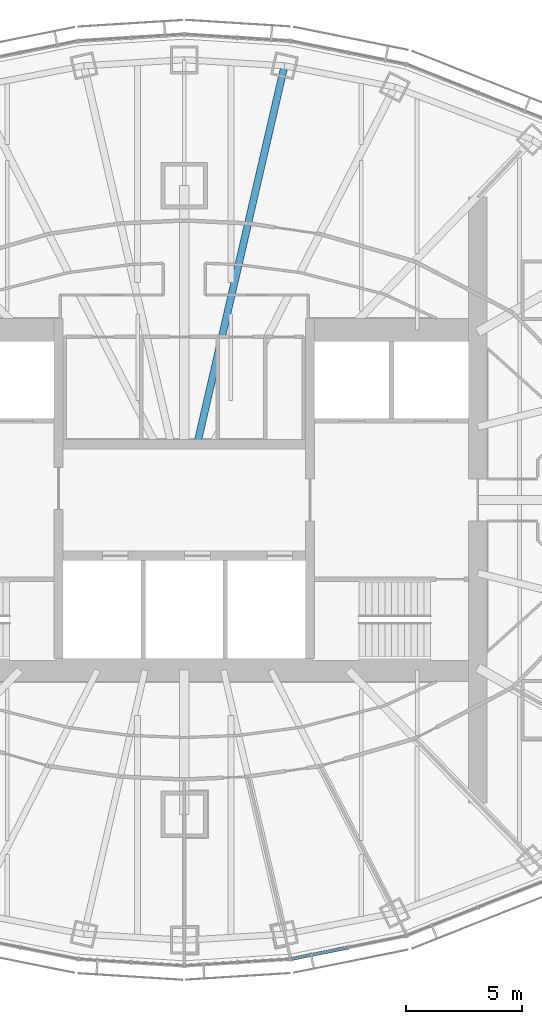
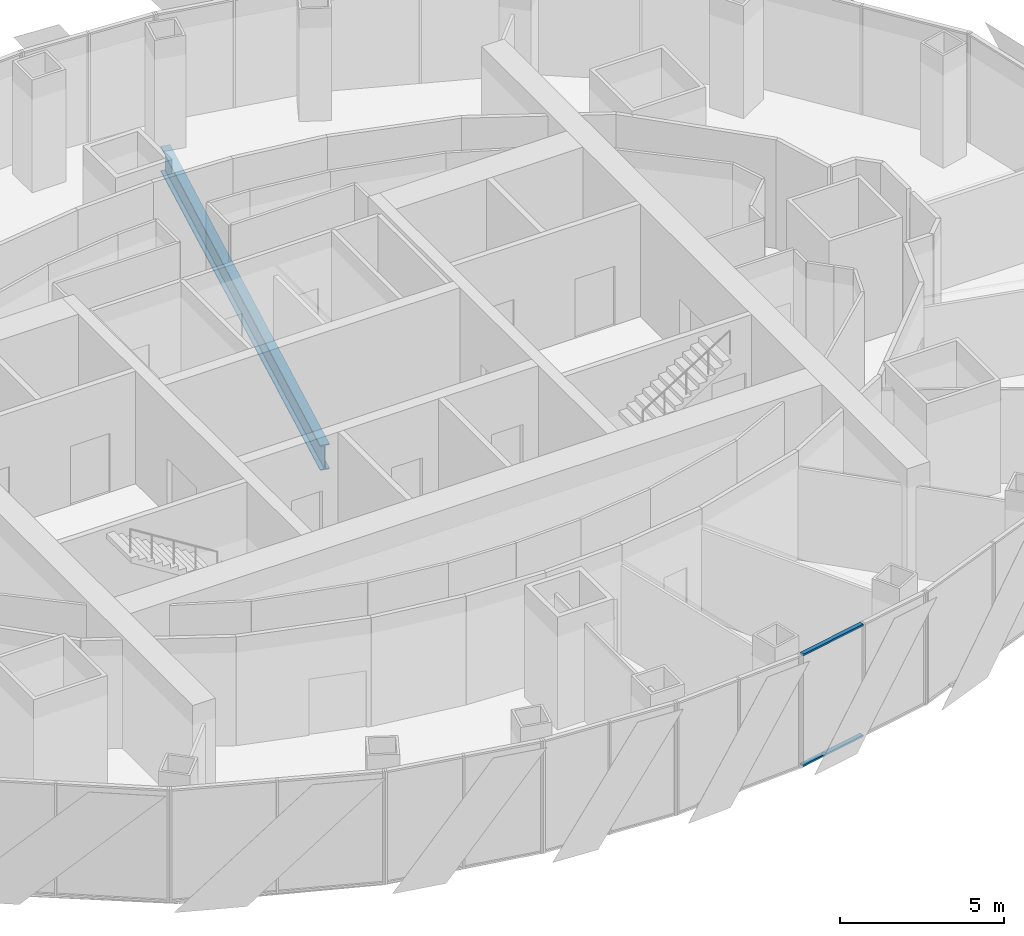
# One storey, part 5 of 17: 2 members, 1 beam, 1 element without a shape of its own.
"""IFC4 building model written with IfcOpenShell, lengths in metres."""

import ifcopenshell
import ifcopenshell.guid

model = None  # the IFC model being written
_history = None  # IfcOwnerHistory: only IFC2X3 demands one
_inside = {}  # id of a spatial element -> (the spatial element, [elements in it])
_under = {}  # id of a project, library or spatial element -> (it, [spatial elements below it])
_declared = {}  # id of a project -> (the project, [libraries it declares])
_typed = {}  # id of a type object -> (the type object, [elements of that type])
_made_of = {}  # id of a material, layer set ... -> (it, [elements and type objects made of it])


def new_model(schema):
    """Start an empty IFC model of exactly this schema.

    Asked for "IFC4X3", IfcOpenShell would pick the latest addendum, in which some entities
    have other attributes; the version numbers below select the first issue.
    IFC2X3 requires an IfcOwnerHistory on every rooted entity: one is made here for all.
    """
    global model, _history
    if schema == "IFC4X3":
        model = ifcopenshell.file(schema_version=(4, 3, 0, 0))
    else:
        model = ifcopenshell.file(schema=schema)
    _inside.clear()
    _under.clear()
    _declared.clear()
    _typed.clear()
    _made_of.clear()
    _history = None
    if model.schema == "IFC2X3":
        org = make("IfcOrganization", Name="unknown")
        user = make(
            "IfcPersonAndOrganization",
            ThePerson=make("IfcPerson", FamilyName="unknown"),
            TheOrganization=org,
        )
        app = make(
            "IfcApplication",
            ApplicationDeveloper=org,
            Version="unknown",
            ApplicationFullName="unknown",
            ApplicationIdentifier="unknown",
        )
        _history = make(
            "IfcOwnerHistory",
            OwningUser=user,
            OwningApplication=app,
            ChangeAction="ADDED",
            CreationDate=0,
        )
    return model


def make(cls, **values):
    """One entity of the class cls with the attributes given. An attribute that is None is left unset."""
    return model.create_entity(
        cls, **{name: value for name, value in values.items() if value is not None}
    )


def rooted(cls, **values):
    """An entity with a GlobalId (a new one), such as an element, a storey or a relation."""
    return make(cls, GlobalId=ifcopenshell.guid.new(), OwnerHistory=_history, **values)


def si_unit(unit_type, name, prefix=None):
    """IfcSIUnit, for example si_unit("LENGTHUNIT", "METRE", prefix="MILLI")."""
    return make("IfcSIUnit", UnitType=unit_type, Prefix=prefix, Name=name)


def assignment(units):
    """IfcUnitAssignment: the units of a project."""
    return None if units is None else make("IfcUnitAssignment", Units=units)


def point(xyz):
    """IfcCartesianPoint."""
    return None if xyz is None else make("IfcCartesianPoint", Coordinates=xyz)


def direction(xyz):
    """IfcDirection."""
    return None if xyz is None else make("IfcDirection", DirectionRatios=xyz)


def frame(location, z_axis=None, x_axis=None):
    """IfcAxis2Placement3D, a coordinate frame: its origin and axes. An axis left out is left unset."""
    return make(
        "IfcAxis2Placement3D",
        Location=point(location),
        Axis=direction(z_axis),
        RefDirection=direction(x_axis),
    )


def frame_2d(location, x_axis=None):
    """IfcAxis2Placement2D, a coordinate frame in the plane: its origin and x axis."""
    return make(
        "IfcAxis2Placement2D", Location=point(location), RefDirection=direction(x_axis)
    )


def origin():
    """The frame at (0, 0, 0) with its axes left unset."""
    return frame((0.0, 0.0, 0.0))


def origin_2d():
    """The frame at (0, 0) in the plane with its x axis left unset."""
    return frame_2d((0.0, 0.0))


def place(relative_to, where):
    """IfcLocalPlacement: puts the frame where relative to a parent placement (None: the world)."""
    return make(
        "IfcLocalPlacement", PlacementRelTo=relative_to, RelativePlacement=where
    )


def context(
    kind, dimensions, precision=None, world=None, true_north=None, identifier=None
):
    """IfcGeometricRepresentationContext, for example the 3D "Model" context."""
    return make(
        "IfcGeometricRepresentationContext",
        ContextIdentifier=identifier,
        ContextType=kind,
        CoordinateSpaceDimension=dimensions,
        Precision=precision,
        WorldCoordinateSystem=world,
        TrueNorth=true_north,
    )


def subcontext(parent, identifier, kind, view, scale=None):
    """IfcGeometricRepresentationSubContext, for example "Body" below "Model"."""
    return make(
        "IfcGeometricRepresentationSubContext",
        ContextIdentifier=identifier,
        ContextType=kind,
        ParentContext=parent,
        TargetScale=scale,
        TargetView=view,
    )


def project(units=None, contexts=None):
    """IfcProject with its units and contexts."""
    return rooted(
        "IfcProject",
        Name="project",
        RepresentationContexts=contexts,
        UnitsInContext=assignment(units),
    )


def spatial(cls, under=None, at=None, **own):
    """A site, building, storey or space (cls), placed at a placement, below another one or the project."""
    s = rooted(cls, ObjectPlacement=at, **own)
    if under is not None:
        _under.setdefault(under.id(), (under, []))[1].append(s)
    return s


def profile(cls, at=None, kind="AREA", **sizes):
    """A parametric profile (cls). Its sizes go by their IFC names, for example OverallWidth=200.0."""
    return make(cls, ProfileType=kind, Position=at, **sizes)


def rectangle(**sizes):
    """IfcRectangleProfileDef."""
    return profile("IfcRectangleProfileDef", **sizes)


def i_section(**sizes):
    """IfcIShapeProfileDef."""
    return profile("IfcIShapeProfileDef", **sizes)


def extrude(swept, where, along, depth):
    """IfcExtrudedAreaSolid: the profile swept, set in the frame where, extruded along a direction by depth."""
    return make(
        "IfcExtrudedAreaSolid",
        SweptArea=swept,
        Position=where,
        ExtrudedDirection=direction(along),
        Depth=depth,
    )


def shape(context_of_items, identifier, shape_type, items):
    """IfcShapeRepresentation: the items that make up one representation, for example the "Body"."""
    return make(
        "IfcShapeRepresentation",
        ContextOfItems=context_of_items,
        RepresentationIdentifier=identifier,
        RepresentationType=shape_type,
        Items=items,
    )


def material(Name=None, Category=None):
    """IfcMaterial."""
    return make("IfcMaterial", Name=Name, Category=Category)


def material_profile(
    of_material, cross_section, Name=None, Category=None, Priority=None
):
    """IfcMaterialProfile: a cross section and its material."""
    return make(
        "IfcMaterialProfile",
        Name=Name,
        Material=of_material,
        Profile=cross_section,
        Priority=Priority,
        Category=Category,
    )


def profile_set(profiles, Name=None, composite=None):
    """IfcMaterialProfileSet."""
    return make(
        "IfcMaterialProfileSet",
        Name=Name,
        MaterialProfiles=profiles,
        CompositeProfile=composite,
    )


def made_of(thing, what):
    """Note that an element or type object is made of a material, layer set ...; save() writes the relation."""
    if what is not None:
        _made_of.setdefault(what.id(), (what, []))[1].append(thing)
    return thing


def type_object(cls, material=None, **own):
    """A type object (cls), such as IfcWallType, which elements share."""
    return made_of(rooted(cls, **own), material)


def element(
    cls,
    number,
    at=None,
    inside=None,
    cuts=None,
    type_object=None,
    material=None,
    context=None,
    identifier="Body",
    shape_type=None,
    held_by="IfcProductDefinitionShape",
    body=None,
    shapes=None,
    **own,
):
    """One element of the class cls, such as IfcWall. Its Tag is "e" and its number.

    at: its placement. inside: the storey or other place that contains it. cuts: it is an
    opening in that element (IfcRelVoidsElement). A single representation is given by context,
    identifier, shape_type and body (its items); several are given by shapes. held_by: the class
    of the entity that holds the representations. save() writes the other relations.
    """
    e = rooted(cls, Tag="e%d" % number, ObjectPlacement=at, **own)
    if body is not None:
        shapes = [shape(context, identifier, shape_type, body)]
    if shapes is not None:
        e.Representation = make(held_by, Representations=shapes)
    if inside is not None:
        _inside.setdefault(inside.id(), (inside, []))[1].append(e)
    if cuts is not None:
        rooted(
            "IfcRelVoidsElement", RelatingBuildingElement=cuts, RelatedOpeningElement=e
        )
    if type_object is not None:
        _typed.setdefault(type_object.id(), (type_object, []))[1].append(e)
    return made_of(e, material)


def aggregate(whole, parts):
    """IfcRelAggregates: a whole, such as a stair, and the parts it consists of."""
    return rooted("IfcRelAggregates", RelatingObject=whole, RelatedObjects=parts)


def save(model, path):
    """Write the relations noted so far, then the file.

    IfcRelAggregates (storeys below a building ...), IfcRelContainedInSpatialStructure (elements
    in a storey), IfcRelDefinesByType, IfcRelAssociatesMaterial and IfcRelDeclares: one each for
    every whole, place, type object, material and project.
    """
    for whole, parts in _under.values():
        aggregate(whole, parts)
    for where, things in _inside.values():
        rooted(
            "IfcRelContainedInSpatialStructure",
            RelatedElements=things,
            RelatingStructure=where,
        )
    for kind, things in _typed.values():
        rooted("IfcRelDefinesByType", RelatedObjects=things, RelatingType=kind)
    for what, things in _made_of.values():
        rooted("IfcRelAssociatesMaterial", RelatedObjects=things, RelatingMaterial=what)
    for by, libraries in _declared.values():
        rooted("IfcRelDeclares", RelatingContext=by, RelatedDefinitions=libraries)
    model.write(path)


model = new_model("IFC4")

# Units and contexts
model_context = context("Model", 3, precision=1e-05, world=origin(), true_north=direction((0.0, 1.0)))
body_context = subcontext(model_context, "Body", "Model", "MODEL_VIEW")
ifc_project = project(units=[si_unit("LENGTHUNIT", "METRE"), si_unit("AREAUNIT", "SQUARE_METRE"), si_unit("VOLUMEUNIT", "CUBIC_METRE"), si_unit("PLANEANGLEUNIT", "RADIAN"), si_unit("MASSUNIT", "GRAM", prefix="KILO")], contexts=[model_context])

# Site, building, storey
site_placement = place(None, origin())
site = spatial("IfcSite", under=ifc_project, at=site_placement, CompositionType="ELEMENT")
building_placement = place(site_placement, origin())
building = spatial("IfcBuilding", under=site, at=building_placement, Name="Lantaw Convention Tower", CompositionType="ELEMENT")
storey_placement = place(building_placement, frame((0.0, 0.0, 220.0)))
storey = spatial("IfcBuildingStorey", under=building, at=storey_placement, Name="L51", CompositionType="ELEMENT", Elevation=220.0)

# Beam
ifc_material_1 = material(Name="Steel ASTM A992", Category="steel")
ifc_material_profile_1 = material_profile(ifc_material_1, i_section(OverallWidth=0.307373046875, OverallDepth=0.9423828125, WebThickness=0.022216796875, FlangeThickness=0.039794921875, FilletRadius=0.0126953125, at=origin_2d()), Name="W36X232")
ifc_profile_set_1 = profile_set([ifc_material_profile_1], Name="Steel ASTM A992")
beam_type = type_object("IfcBeamType", Name="Beam G W36X232", PredefinedType="BEAM", material=ifc_profile_set_1)
beam_placement = place(storey_placement, frame((0.55419921875, 2.39990234375, -0.62109375), z_axis=(0.224948287002, 0.974370703672, 0.0), x_axis=(-0.974370703672, 0.224948287002, 0.0)))
element("IfcBeam", 1, at=beam_placement, inside=storey, type_object=beam_type, Name="Floor girder on ray 6", PredefinedType="BEAM", context=body_context, shape_type="SweptSolid", body=[
    extrude(i_section(OverallWidth=0.307373046875, OverallDepth=0.9423828125, WebThickness=0.022216796875, FlangeThickness=0.039794921875, FilletRadius=0.0126953125, at=origin_2d()), origin(), (0.0, 0.0, 1.0), 16.66943359375),
])

# Curtain wall, members
ifc_material_2 = material(Name="Aluminium framed curtain wall", Category="aluminium")
curtain_wall_type = type_object("IfcCurtainWallType", Name="Office curtain wall high rise, pale aluminium", PredefinedType="USERDEFINED", material=ifc_material_2)
curtain_wall_placement = place(storey_placement, origin())
curtain_wall = element("IfcCurtainWall", 2, at=curtain_wall_placement, inside=storey, type_object=curtain_wall_type, Name="Office curtain wall high rise, pale aluminium L51", ObjectType="UNITISED CURTAIN WALL", PredefinedType="USERDEFINED")
ifc_material_3 = material(Name="Aluminium 6063-T6", Category="aluminium")
ifc_material_profile_2 = material_profile(ifc_material_3, rectangle(XDim=0.14990234375, YDim=0.06494140625, at=origin_2d()), Name="CW-O2 transom 65x150")
ifc_profile_set_2 = profile_set([ifc_material_profile_2], Name="Aluminium 6063-T6")
member_type = type_object("IfcMemberType", Name="CW-O2 transom 65x150", PredefinedType="USERDEFINED", material=ifc_profile_set_2)
member_1_placement = place(storey_placement, frame((4.614990234375, -19.700927734375, -0.117431640625), z_axis=(0.980380354178, 0.197115096178, 0.0), x_axis=(-0.197115096178, 0.980380354178, 0.0)))
member_1 = element("IfcMember", 3, at=member_1_placement, type_object=member_type, Name="CW-O2 transom 1.1", ObjectType="TRANSOM", PredefinedType="USERDEFINED", context=body_context, shape_type="SweptSolid", body=[
    extrude(rectangle(XDim=0.14990234375, YDim=0.06494140625, at=origin_2d()), origin(), (0.0, 0.0, 1.0), 2.443603515625),
])
member_2_placement = place(storey_placement, frame((4.614990234375, -19.700927734375, 4.017578125), z_axis=(0.980380354178, 0.197115096178, 0.0), x_axis=(-0.197115096178, 0.980380354178, 0.0)))
member_2 = element("IfcMember", 4, at=member_2_placement, type_object=member_type, Name="CW-O2 transom 1.2", ObjectType="TRANSOM", PredefinedType="USERDEFINED", context=body_context, shape_type="SweptSolid", body=[
    extrude(rectangle(XDim=0.14990234375, YDim=0.06494140625, at=origin_2d()), origin(), (0.0, 0.0, 1.0), 2.443603515625),
])
aggregate(curtain_wall, [member_1, member_2])

save(model, "model.ifc")
